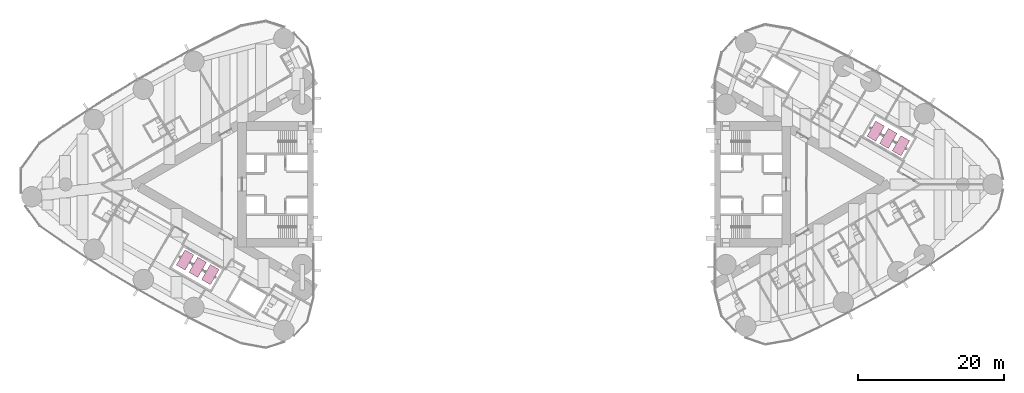
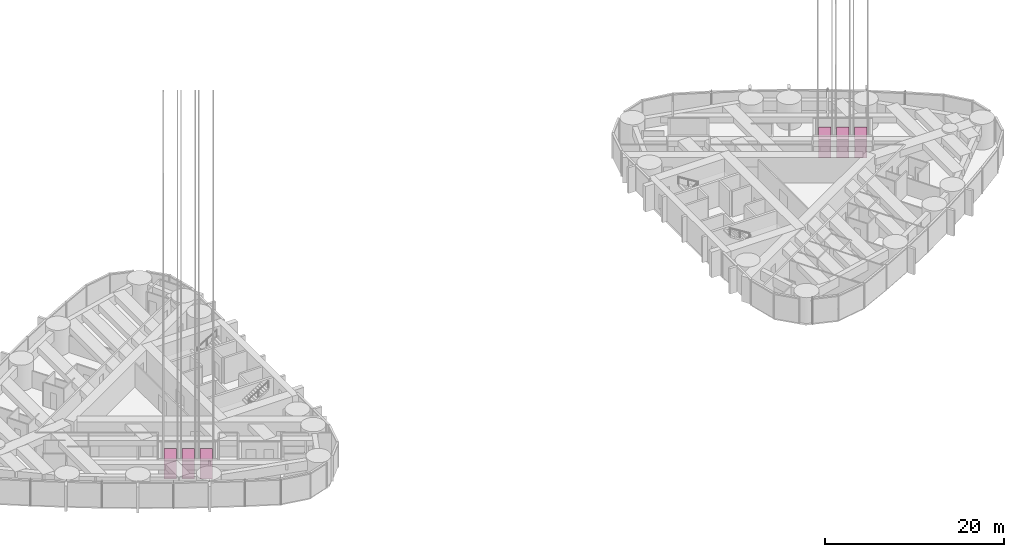
# One storey, part 20 of 21: 6 transport elements.
"""IFC4 building model written with IfcOpenShell, lengths in metres."""

from ifc_helpers import new_model, si_unit, direction, frame, origin, origin_2d, place, context, subcontext, project, spatial, rectangle, extrude, material, type_object, element, save


model = new_model("IFC4")

# Units and contexts
model_context = context("Model", 3, precision=1e-05, world=origin(), true_north=direction((0.0, 1.0)))
body_context = subcontext(model_context, "Body", "Model", "MODEL_VIEW")
ifc_project = project(units=[si_unit("LENGTHUNIT", "METRE"), si_unit("AREAUNIT", "SQUARE_METRE"), si_unit("VOLUMEUNIT", "CUBIC_METRE"), si_unit("PLANEANGLEUNIT", "RADIAN"), si_unit("MASSUNIT", "GRAM", prefix="KILO")], contexts=[model_context])

# Site, building, storey
site_placement = place(None, origin())
site = spatial("IfcSite", under=ifc_project, at=site_placement, CompositionType="ELEMENT")
building_placement = place(site_placement, origin())
building = spatial("IfcBuilding", under=site, at=building_placement, Name="Lancet Gate Hotel", CompositionType="ELEMENT")
storey_placement = place(building_placement, frame((0.0, 0.0, 156.300048828125)))
storey = spatial("IfcBuildingStorey", under=building, at=storey_placement, Name="L41", CompositionType="ELEMENT", Elevation=156.300048828125)

# Transport elements
ifc_material = material(Name="Steel lift car", Category="steel")
transport_element_type = type_object("IfcTransportElementType", Name="Passenger lift high rise 1600 kg", PredefinedType="ELEVATOR", material=ifc_material)
for number, where, z_axis, x_axis, name in (
    (1, (-41.64599609375, -12.368408203125, 0.0), (0.0, 0.0, 1.0), (-0.499916865226, -0.866073396349, 0.0), "T1-HL1"),
    (2, (-43.3779296875, -11.368408203125, 0.0), (0.0, 0.0, 1.0), (-0.499916865226, -0.866073396349, 0.0), "T1-HL2"),
    (3, (-45.110107421875, -10.368408203125, 0.0), (0.0, 0.0, 1.0), (-0.499916865226, -0.866073396349, 0.0), "T1-HL3"),
    (4, (49.570068359375, 7.29345703125, 0.0), (0.0, 0.0, 1.0), (0.499916865226, 0.866073396349, 0.0), "T2-HL1"),
    (5, (51.302001953125, 6.29345703125, 0.0), (0.0, 0.0, 1.0), (0.499916865226, 0.866073396349, 0.0), "T2-HL2"),
    (6, (53.033935546875, 5.29345703125, 0.0), (0.0, 0.0, 1.0), (0.499916865226, 0.866073396349, 0.0), "T2-HL3"),
):
    element("IfcTransportElement", number, at=place(storey_placement, frame(where, z_axis=z_axis, x_axis=x_axis)), inside=storey, type_object=transport_element_type, Name=name, PredefinedType="ELEVATOR", context=body_context, shape_type="SweptSolid", body=[
        extrude(rectangle(XDim=2.39990234375, YDim=1.39990234375, at=origin_2d()), origin(), (0.0, 0.0, 1.0), 2.5),
    ])

save(model, "model.ifc")
